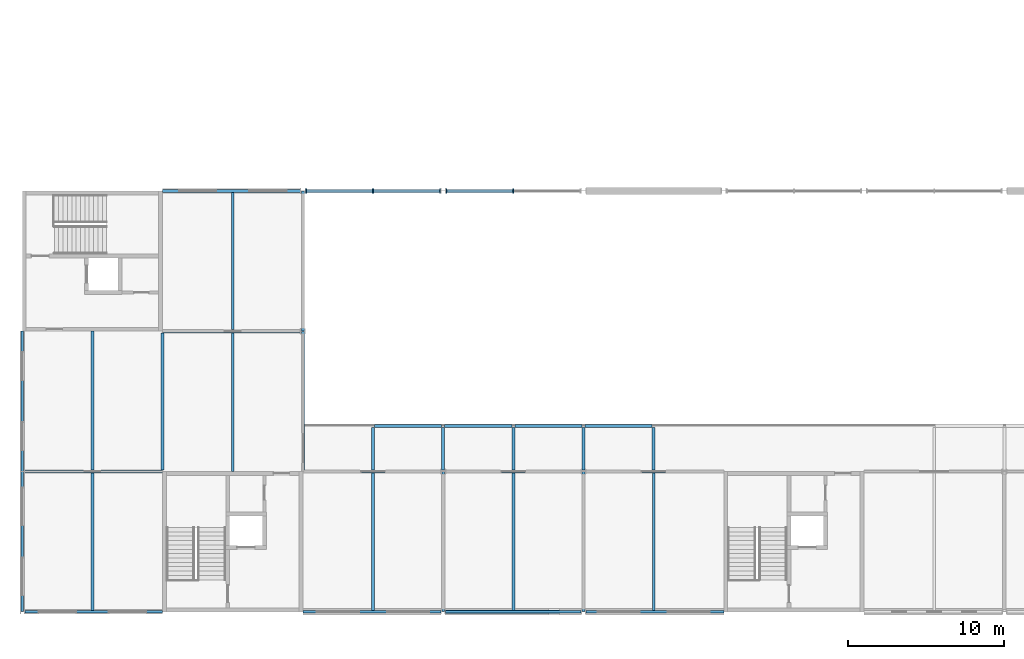
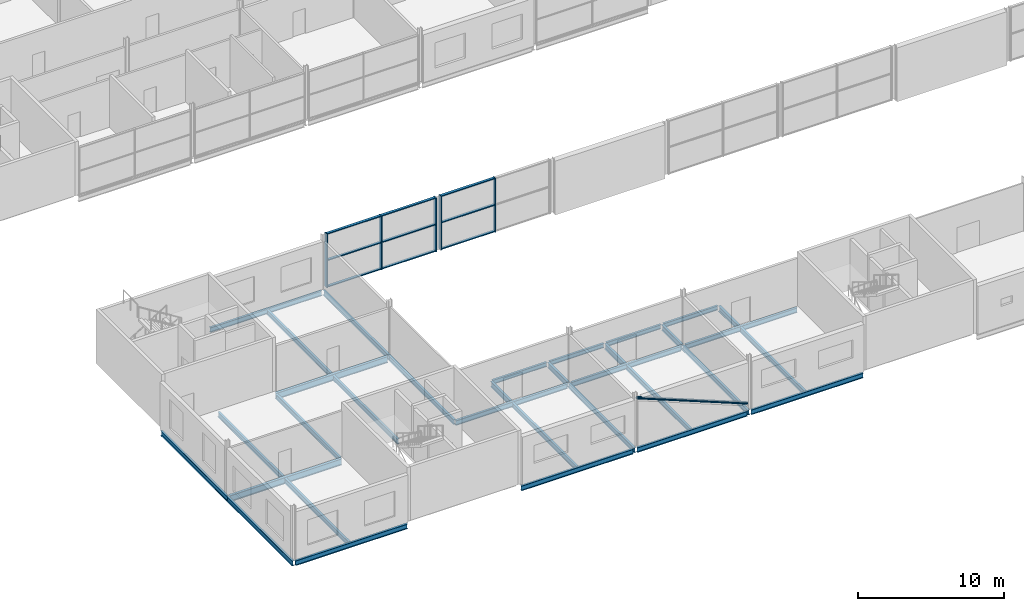
# One storey, part 28 of 97: 33 beams, 15 members, 2 elements without a shape of their own.
"""IFC4 building model written with IfcOpenShell, lengths in metres."""

from ifc_helpers import new_model, si_unit, direction, frame, origin, origin_2d, place, context, subcontext, project, spatial, rectangle, hollow_circle, i_section, extrude, material, layer, layer_set, material_profile, profile_set, type_object, element, aggregate, save


model = new_model("IFC4")

# Units and contexts
model_context = context("Model", 3, precision=1e-05, world=origin(), true_north=direction((0.0, 1.0)))
body_context = subcontext(model_context, "Body", "Model", "MODEL_VIEW")
ifc_project = project(units=[si_unit("LENGTHUNIT", "METRE"), si_unit("AREAUNIT", "SQUARE_METRE"), si_unit("VOLUMEUNIT", "CUBIC_METRE"), si_unit("PLANEANGLEUNIT", "RADIAN"), si_unit("MASSUNIT", "GRAM", prefix="KILO")], contexts=[model_context])

# Site, building, storey
site_placement = place(None, origin())
site = spatial("IfcSite", under=ifc_project, at=site_placement, CompositionType="ELEMENT")
building_placement = place(site_placement, origin())
building = spatial("IfcBuilding", under=site, at=building_placement, Name="Corbel Yard City Hall", CompositionType="ELEMENT")
storey_placement = place(building_placement, frame((0.0, 0.0, 6.0)))
storey = spatial("IfcBuildingStorey", under=building, at=storey_placement, Name="L01", CompositionType="ELEMENT", Elevation=6.0)

# Beams
ifc_material_1 = material(Name="Steel Grade 300 (300 MPa yield)", Category="steel")
ifc_material_profile_1 = material_profile(ifc_material_1, i_section(OverallWidth=0.177978515625, OverallDepth=0.403076171875, WebThickness=0.007568359375, FlangeThickness=0.010986328125, at=origin_2d()), Name="410UB53.7")
ifc_profile_set_1 = profile_set([ifc_material_profile_1], Name="Steel Grade 300 (300 MPa yield)")
beam_type_1 = type_object("IfcBeamType", Name="Beam 410UB53.7", PredefinedType="BEAM", material=ifc_profile_set_1)
beam_1_placement = place(storey_placement, frame((9.0, 9.1044921875, -0.3515625), z_axis=(0.0, 1.0, 0.0), x_axis=(-1.0, 0.0, 0.0)))
element("IfcBeam", 1, at=beam_1_placement, inside=storey, type_object=beam_type_1, Name="Beam 410UB53.7 SB6 L01floor", PredefinedType="BEAM", context=body_context, shape_type="SweptSolid", body=[
    extrude(i_section(OverallWidth=0.177978515625, OverallDepth=0.403076171875, WebThickness=0.007568359375, FlangeThickness=0.010986328125, at=origin_2d()), origin(), (0.0, 0.0, 1.0), 8.791015625),
])
for number, where, z_axis, x_axis, name in (
    (2, (27.0, 0.005859375, -0.3515625), (0.0, 1.0, 0.0), (-1.0, 0.0, 0.0), "Beam 410UB53.7 SB6 L01floor"),
    (3, (36.0, 0.005859375, -0.3515625), (0.0, 1.0, 0.0), (-1.0, 0.0, 0.0), "Beam 410UB53.7 SB6 L01floor"),
):
    element("IfcBeam", number, at=place(storey_placement, frame(where, z_axis=z_axis, x_axis=x_axis)), inside=storey, type_object=beam_type_1, Name=name, PredefinedType="BEAM", context=body_context, shape_type="SweptSolid", body=[
        extrude(i_section(OverallWidth=0.177978515625, OverallDepth=0.403076171875, WebThickness=0.007568359375, FlangeThickness=0.010986328125, at=origin_2d()), origin(), (0.0, 0.0, 1.0), 8.986328125),
    ])

# Member
ifc_material_2 = material(Name="Steel Grade C350L0", Category="steel")
ifc_material_profile_2 = material_profile(ifc_material_2, hollow_circle(Radius=0.109619140625, WallThickness=0.00830078125, at=origin_2d()), Name="219.1x8.2CHS")
ifc_profile_set_2 = profile_set([ifc_material_profile_2], Name="Steel Grade C350L0")
member_type_1 = type_object("IfcMemberType", Name="Braced bay diagonal 219.1x8.2CHS", PredefinedType="BRACE", material=ifc_profile_set_2)
member_1_placement = place(storey_placement, frame((27.1298828125, 0.0, 4.0), z_axis=(0.928333553829, 0.0, -0.371748319209), x_axis=(0.0, 1.0, 0.0)))
element("IfcMember", 4, at=member_1_placement, inside=storey, type_object=member_type_1, Name="Brace 219.1x8.2CHS BR2", PredefinedType="BRACE", context=body_context, shape_type="SweptSolid", body=[
    extrude(hollow_circle(Radius=0.109619140625, WallThickness=0.00830078125, at=origin_2d()), origin(), (0.0, 0.0, 1.0), 9.4150390625),
])

# Beams
ifc_material_profile_3 = material_profile(ifc_material_1, i_section(OverallWidth=0.177978515625, OverallDepth=0.406005859375, WebThickness=0.0078125, FlangeThickness=0.0126953125, at=origin_2d()), Name="410UB59.7")
ifc_profile_set_3 = profile_set([ifc_material_profile_3], Name="Steel Grade 300 (300 MPa yield)")
beam_type_2 = type_object("IfcBeamType", Name="Edge beam 410UB59.7", PredefinedType="BEAM", material=ifc_profile_set_3)
for number, where, z_axis, x_axis, name in (
    (5, (0.157470703125, 0.0, -0.35302734375), (1.0, 0.0, 0.0), (0.0, 1.0, 0.0), "Edge beam 410UB59.7 EB2 L01floor"),
    (6, (18.0, 0.0, -0.35302734375), (1.0, 0.0, 0.0), (0.0, 1.0, 0.0), "Edge beam 410UB59.7 EB2 L01floor"),
):
    element("IfcBeam", number, at=place(storey_placement, frame(where, z_axis=z_axis, x_axis=x_axis)), inside=storey, type_object=beam_type_2, Name=name, PredefinedType="BEAM", context=body_context, shape_type="SweptSolid", body=[
        extrude(i_section(OverallWidth=0.177978515625, OverallDepth=0.406005859375, WebThickness=0.0078125, FlangeThickness=0.0126953125, at=origin_2d()), origin(), (0.0, 0.0, 1.0), 8.842529296875),
    ])
beam_2_placement = place(storey_placement, frame((27.157470703125, 0.0, -0.35302734375), z_axis=(1.0, 0.0, 0.0), x_axis=(0.0, 1.0, 0.0)))
element("IfcBeam", 7, at=beam_2_placement, inside=storey, type_object=beam_type_2, Name="Edge beam 410UB59.7 EB2 L01floor", PredefinedType="BEAM", context=body_context, shape_type="SweptSolid", body=[
    extrude(i_section(OverallWidth=0.177978515625, OverallDepth=0.406005859375, WebThickness=0.0078125, FlangeThickness=0.0126953125, at=origin_2d()), origin(), (0.0, 0.0, 1.0), 8.68505859375),
])
beam_3_placement = place(storey_placement, frame((36.157470703125, 0.0, -0.35302734375), z_axis=(1.0, 0.0, 0.0), x_axis=(0.0, 1.0, 0.0)))
element("IfcBeam", 8, at=beam_3_placement, inside=storey, type_object=beam_type_2, Name="Edge beam 410UB59.7 EB2 L01floor", PredefinedType="BEAM", context=body_context, shape_type="SweptSolid", body=[
    extrude(i_section(OverallWidth=0.177978515625, OverallDepth=0.406005859375, WebThickness=0.0078125, FlangeThickness=0.0126953125, at=origin_2d()), origin(), (0.0, 0.0, 1.0), 8.842529296875),
])
beam_4_placement = place(storey_placement, frame((18.0, 9.0, -0.35302734375), z_axis=(1.0, 0.0, 0.0), x_axis=(0.0, 1.0, 0.0)))
element("IfcBeam", 9, at=beam_4_placement, inside=storey, type_object=beam_type_2, Name="Edge beam 410UB59.7 EB2 L01floor", PredefinedType="BEAM", context=body_context, shape_type="SweptSolid", body=[
    extrude(i_section(OverallWidth=0.177978515625, OverallDepth=0.406005859375, WebThickness=0.0078125, FlangeThickness=0.0126953125, at=origin_2d()), origin(), (0.0, 0.0, 1.0), 8.83642578125),
])
beam_5_placement = place(storey_placement, frame((27.16357421875, 9.0, -0.35302734375), z_axis=(1.0, 0.0, 0.0), x_axis=(0.0, 1.0, 0.0)))
element("IfcBeam", 10, at=beam_5_placement, inside=storey, type_object=beam_type_2, Name="Edge beam 410UB59.7 EB2 L01floor", PredefinedType="BEAM", context=body_context, shape_type="SweptSolid", body=[
    extrude(i_section(OverallWidth=0.177978515625, OverallDepth=0.406005859375, WebThickness=0.0078125, FlangeThickness=0.0126953125, at=origin_2d()), origin(), (0.0, 0.0, 1.0), 8.6728515625),
])
for number, where, z_axis, x_axis, name in (
    (11, (36.16357421875, 9.0, -0.35302734375), (1.0, 0.0, 0.0), (0.0, 1.0, 0.0), "Edge beam 410UB59.7 EB2 L01floor"),
    (12, (9.0, 27.0, -0.35302734375), (1.0, 0.0, 0.0), (0.0, 1.0, 0.0), "Edge beam 410UB59.7 EB2 L01floor"),
):
    element("IfcBeam", number, at=place(storey_placement, frame(where, z_axis=z_axis, x_axis=x_axis)), inside=storey, type_object=beam_type_2, Name=name, PredefinedType="BEAM", context=body_context, shape_type="SweptSolid", body=[
        extrude(i_section(OverallWidth=0.177978515625, OverallDepth=0.406005859375, WebThickness=0.0078125, FlangeThickness=0.0126953125, at=origin_2d()), origin(), (0.0, 0.0, 1.0), 8.83642578125),
    ])
beam_6_placement = place(storey_placement, frame((0.0, 0.005859375, -0.35302734375), z_axis=(0.0, 1.0, 0.0), x_axis=(-1.0, 0.0, 0.0)))
element("IfcBeam", 13, at=beam_6_placement, inside=storey, type_object=beam_type_2, Name="Edge beam 410UB59.7 EB2 L01floor", PredefinedType="BEAM", context=body_context, shape_type="SweptSolid", body=[
    extrude(i_section(OverallWidth=0.177978515625, OverallDepth=0.406005859375, WebThickness=0.0078125, FlangeThickness=0.0126953125, at=origin_2d()), origin(), (0.0, 0.0, 1.0), 8.98828125),
])
beam_7_placement = place(storey_placement, frame((0.0, 9.005859375, -0.35302734375), z_axis=(0.0, 1.0, 0.0), x_axis=(-1.0, 0.0, 0.0)))
element("IfcBeam", 14, at=beam_7_placement, inside=storey, type_object=beam_type_2, Name="Edge beam 410UB59.7 EB2 L01floor", PredefinedType="BEAM", context=body_context, shape_type="SweptSolid", body=[
    extrude(i_section(OverallWidth=0.177978515625, OverallDepth=0.406005859375, WebThickness=0.0078125, FlangeThickness=0.0126953125, at=origin_2d()), origin(), (0.0, 0.0, 1.0), 8.994140625),
])
beam_8_placement = place(storey_placement, frame((18.0, 9.089111328125, -0.35302734375), z_axis=(0.0, 1.0, 0.0), x_axis=(-1.0, 0.0, 0.0)))
element("IfcBeam", 15, at=beam_8_placement, inside=storey, type_object=beam_type_2, Name="Edge beam 410UB59.7 EB2 L01floor", PredefinedType="BEAM", context=body_context, shape_type="SweptSolid", body=[
    extrude(i_section(OverallWidth=0.177978515625, OverallDepth=0.406005859375, WebThickness=0.0078125, FlangeThickness=0.0126953125, at=origin_2d()), origin(), (0.0, 0.0, 1.0), 8.903076171875),
])
beam_9_placement = place(storey_placement, frame((18.0, 18.0078125, -0.35302734375), z_axis=(0.0, 1.0, 0.0), x_axis=(-1.0, 0.0, 0.0)))
element("IfcBeam", 16, at=beam_9_placement, inside=storey, type_object=beam_type_2, Name="Edge beam 410UB59.7 EB2 L01floor", PredefinedType="BEAM", context=body_context, shape_type="SweptSolid", body=[
    extrude(i_section(OverallWidth=0.177978515625, OverallDepth=0.406005859375, WebThickness=0.0078125, FlangeThickness=0.0126953125, at=origin_2d()), origin(), (0.0, 0.0, 1.0), 8.984375),
])
ifc_material_profile_4 = material_profile(ifc_material_1, i_section(OverallWidth=0.18994140625, OverallDepth=0.4541015625, WebThickness=0.008544921875, FlangeThickness=0.0126953125, at=origin_2d()), Name="460UB67.1")
ifc_profile_set_4 = profile_set([ifc_material_profile_4], Name="Steel Grade 300 (300 MPa yield)")
beam_type_3 = type_object("IfcBeamType", Name="Gallery bracket 460UB67.1", PredefinedType="BEAM", material=ifc_profile_set_4)
for number, where, z_axis, x_axis, name in (
    (17, (22.5, 9.089111328125, -0.376953125), (0.0, 1.0, 0.0), (-1.0, 0.0, 0.0), "Gallery bracket 460UB67.1 CB2 L01"),
    (18, (27.0, 9.089111328125, -0.376953125), (0.0, 1.0, 0.0), (-1.0, 0.0, 0.0), "Gallery bracket 460UB67.1 CB2 L01"),
    (19, (31.5, 9.089111328125, -0.376953125), (0.0, 1.0, 0.0), (-1.0, 0.0, 0.0), "Gallery bracket 460UB67.1 CB2 L01"),
    (20, (36.0, 9.089111328125, -0.376953125), (0.0, 1.0, 0.0), (-1.0, 0.0, 0.0), "Gallery bracket 460UB67.1 CB2 L01"),
    (21, (40.5, 9.089111328125, -0.376953125), (0.0, 1.0, 0.0), (-1.0, 0.0, 0.0), "Gallery bracket 460UB67.1 CB2 L01"),
):
    element("IfcBeam", number, at=place(storey_placement, frame(where, z_axis=z_axis, x_axis=x_axis)), inside=storey, type_object=beam_type_3, Name=name, PredefinedType="BEAM", context=body_context, shape_type="SweptSolid", body=[
        extrude(i_section(OverallWidth=0.18994140625, OverallDepth=0.4541015625, WebThickness=0.008544921875, FlangeThickness=0.0126953125, at=origin_2d()), origin(), (0.0, 0.0, 1.0), 2.739990234375),
    ])
ifc_material_profile_5 = material_profile(ifc_material_1, i_section(OverallWidth=0.1708984375, OverallDepth=0.35205078125, WebThickness=0.0068359375, FlangeThickness=0.009765625, at=origin_2d()), Name="360UB44.7")
ifc_profile_set_5 = profile_set([ifc_material_profile_5], Name="Steel Grade 300 (300 MPa yield)")
beam_type_4 = type_object("IfcBeamType", Name="Gallery edge beam 360UB44.7", PredefinedType="BEAM", material=ifc_profile_set_5)
for number, where, z_axis, x_axis, name in (
    (22, (22.594970703125, 11.91455078125, -0.325927734375), (1.0, 0.0, 0.0), (0.0, 1.0, 0.0), "Gallery edge beam 360UB44.7 EB13 L01"),
    (23, (27.094970703125, 11.91455078125, -0.325927734375), (1.0, 0.0, 0.0), (0.0, 1.0, 0.0), "Gallery edge beam 360UB44.7 EB13 L01"),
    (24, (31.594970703125, 11.91455078125, -0.325927734375), (1.0, 0.0, 0.0), (0.0, 1.0, 0.0), "Gallery edge beam 360UB44.7 EB13 L01"),
    (25, (36.094970703125, 11.91455078125, -0.325927734375), (1.0, 0.0, 0.0), (0.0, 1.0, 0.0), "Gallery edge beam 360UB44.7 EB13 L01"),
):
    element("IfcBeam", number, at=place(storey_placement, frame(where, z_axis=z_axis, x_axis=x_axis)), inside=storey, type_object=beam_type_4, Name=name, PredefinedType="BEAM", context=body_context, shape_type="SweptSolid", body=[
        extrude(i_section(OverallWidth=0.1708984375, OverallDepth=0.35205078125, WebThickness=0.0068359375, FlangeThickness=0.009765625, at=origin_2d()), origin(), (0.0, 0.0, 1.0), 4.31005859375),
    ])
ifc_material_profile_6 = material_profile(ifc_material_1, i_section(OverallWidth=0.208984375, OverallDepth=0.528076171875, WebThickness=0.009521484375, FlangeThickness=0.01318359375, at=origin_2d()), Name="530UB82.0")
ifc_profile_set_6 = profile_set([ifc_material_profile_6], Name="Steel Grade 300 (300 MPa yield)")
beam_type_5 = type_object("IfcBeamType", Name="Girder 530UB82.0", PredefinedType="BEAM", material=ifc_profile_set_6)
beam_10_placement = place(storey_placement, frame((0.157470703125, 9.0, -0.4140625), z_axis=(1.0, 0.0, 0.0), x_axis=(0.0, 1.0, 0.0)))
element("IfcBeam", 26, at=beam_10_placement, inside=storey, type_object=beam_type_5, Name="Girder 530UB82.0 GB3 L01floor", PredefinedType="BEAM", context=body_context, shape_type="SweptSolid", body=[
    extrude(i_section(OverallWidth=0.208984375, OverallDepth=0.528076171875, WebThickness=0.009521484375, FlangeThickness=0.01318359375, at=origin_2d()), origin(), (0.0, 0.0, 1.0), 8.842529296875),
])
beam_11_placement = place(storey_placement, frame((9.0, 18.0, -0.4140625), z_axis=(1.0, 0.0, 0.0), x_axis=(0.0, 1.0, 0.0)))
element("IfcBeam", 27, at=beam_11_placement, inside=storey, type_object=beam_type_5, Name="Girder 530UB82.0 GB3 L01floor", PredefinedType="BEAM", context=body_context, shape_type="SweptSolid", body=[
    extrude(i_section(OverallWidth=0.208984375, OverallDepth=0.528076171875, WebThickness=0.009521484375, FlangeThickness=0.01318359375, at=origin_2d()), origin(), (0.0, 0.0, 1.0), 8.83642578125),
])

# Curtain wall, members
ifc_material_3 = material(Name="Aluminium extrusion", Category="aluminium")
ifc_layer = layer(ifc_material_3, 0.300048828125)
ifc_layer_set = layer_set([ifc_layer], Name="Aluminium extrusion")
curtain_wall_type = type_object("IfcCurtainWallType", Name="CW7", PredefinedType="USERDEFINED", material=ifc_layer_set)
curtain_wall_1_placement = place(storey_placement, origin())
curtain_wall_1 = element("IfcCurtainWall", 28, at=curtain_wall_1_placement, inside=storey, type_object=curtain_wall_type, Name="Curtain wall CW7 L01", ObjectType="CURTAIN WALL", PredefinedType="USERDEFINED")
ifc_material_profile_7 = material_profile(ifc_material_3, rectangle(XDim=0.300048828125, YDim=0.080078125, at=origin_2d()), Name="300x80")
ifc_profile_set_7 = profile_set([ifc_material_profile_7], Name="Aluminium extrusion")
member_type_2 = type_object("IfcMemberType", Name="ML7", PredefinedType="MULLION", material=ifc_profile_set_7)
member_2_placement = place(storey_placement, frame((18.197509765625, 27.0, 0.0), z_axis=(0.0, 0.0, 1.0), x_axis=(0.0, 1.0, 0.0)))
member_2 = element("IfcMember", 29, at=member_2_placement, type_object=member_type_2, Name="CW7 mullion 1", PredefinedType="MULLION", context=body_context, shape_type="SweptSolid", body=[
    extrude(rectangle(XDim=0.300048828125, YDim=0.080078125, at=origin_2d()), origin(), (0.0, 0.0, 1.0), 4.5),
])
member_3_placement = place(storey_placement, frame((22.5, 27.0, 0.0), z_axis=(0.0, 0.0, 1.0), x_axis=(0.0, 1.0, 0.0)))
member_3 = element("IfcMember", 30, at=member_3_placement, type_object=member_type_2, Name="CW7 mullion 2", PredefinedType="MULLION", context=body_context, shape_type="SweptSolid", body=[
    extrude(rectangle(XDim=0.300048828125, YDim=0.080078125, at=origin_2d()), origin(), (0.0, 0.0, 1.0), 4.5),
])
member_4_placement = place(storey_placement, frame((26.802490234375, 27.0, 0.0), z_axis=(0.0, 0.0, 1.0), x_axis=(0.0, 1.0, 0.0)))
member_4 = element("IfcMember", 31, at=member_4_placement, type_object=member_type_2, Name="CW7 mullion 3", PredefinedType="MULLION", context=body_context, shape_type="SweptSolid", body=[
    extrude(rectangle(XDim=0.300048828125, YDim=0.080078125, at=origin_2d()), origin(), (0.0, 0.0, 1.0), 4.5),
])

curtain_wall_2_placement = place(storey_placement, origin())
curtain_wall_2 = element("IfcCurtainWall", 32, at=curtain_wall_2_placement, inside=storey, type_object=curtain_wall_type, Name="Curtain wall CW7 L01", ObjectType="CURTAIN WALL", PredefinedType="USERDEFINED")
member_5_placement = place(storey_placement, frame((27.197509765625, 27.0, 0.0), z_axis=(0.0, 0.0, 1.0), x_axis=(0.0, 1.0, 0.0)))
member_5 = element("IfcMember", 33, at=member_5_placement, type_object=member_type_2, Name="CW7 mullion 1", PredefinedType="MULLION", context=body_context, shape_type="SweptSolid", body=[
    extrude(rectangle(XDim=0.300048828125, YDim=0.080078125, at=origin_2d()), origin(), (0.0, 0.0, 1.0), 4.5),
])
member_6_placement = place(storey_placement, frame((31.5, 27.0, 0.0), z_axis=(0.0, 0.0, 1.0), x_axis=(0.0, 1.0, 0.0)))
member_6 = element("IfcMember", 34, at=member_6_placement, type_object=member_type_2, Name="CW7 mullion 2", PredefinedType="MULLION", context=body_context, shape_type="SweptSolid", body=[
    extrude(rectangle(XDim=0.300048828125, YDim=0.080078125, at=origin_2d()), origin(), (0.0, 0.0, 1.0), 4.5),
])

# Beams
ifc_material_profile_8 = material_profile(ifc_material_1, i_section(OverallWidth=0.177978515625, OverallDepth=0.403076171875, WebThickness=0.007568359375, FlangeThickness=0.010986328125, at=origin_2d()), Name="410UB53.7")
ifc_profile_set_8 = profile_set([ifc_material_profile_8], Name="Steel Grade 300 (300 MPa yield)")
beam_type_6 = type_object("IfcBeamType", Name="Secondary beam 410UB53.7", PredefinedType="JOIST", material=ifc_profile_set_8)
beam_12_placement = place(storey_placement, frame((4.5, 0.089111328125, -0.3515625), z_axis=(0.0, 1.0, 0.0), x_axis=(-1.0, 0.0, 0.0)))
element("IfcBeam", 35, at=beam_12_placement, inside=storey, type_object=beam_type_6, Name="Secondary beam 410UB53.7 SB5 L01floor", PredefinedType="JOIST", context=body_context, shape_type="SweptSolid", body=[
    extrude(i_section(OverallWidth=0.177978515625, OverallDepth=0.403076171875, WebThickness=0.007568359375, FlangeThickness=0.010986328125, at=origin_2d()), origin(), (0.0, 0.0, 1.0), 8.806396484375),
])
for number, where, z_axis, x_axis, name in (
    (36, (4.5, 9.1044921875, -0.3515625), (0.0, 1.0, 0.0), (-1.0, 0.0, 0.0), "Secondary beam 410UB53.7 SB5 L01floor"),
    (37, (13.5, 9.0, -0.3515625), (0.0, 1.0, 0.0), (-1.0, 0.0, 0.0), "Secondary beam 410UB53.7 SB5 L01floor"),
):
    element("IfcBeam", number, at=place(storey_placement, frame(where, z_axis=z_axis, x_axis=x_axis)), inside=storey, type_object=beam_type_6, Name=name, PredefinedType="JOIST", context=body_context, shape_type="SweptSolid", body=[
        extrude(i_section(OverallWidth=0.177978515625, OverallDepth=0.403076171875, WebThickness=0.007568359375, FlangeThickness=0.010986328125, at=origin_2d()), origin(), (0.0, 0.0, 1.0), 8.8955078125),
    ])
beam_13_placement = place(storey_placement, frame((13.5, 18.1044921875, -0.3515625), z_axis=(0.0, 1.0, 0.0), x_axis=(-1.0, 0.0, 0.0)))
element("IfcBeam", 38, at=beam_13_placement, inside=storey, type_object=beam_type_6, Name="Secondary beam 410UB53.7 SB5 L01floor", PredefinedType="JOIST", context=body_context, shape_type="SweptSolid", body=[
    extrude(i_section(OverallWidth=0.177978515625, OverallDepth=0.403076171875, WebThickness=0.007568359375, FlangeThickness=0.010986328125, at=origin_2d()), origin(), (0.0, 0.0, 1.0), 8.806396484375),
])
for number, where, z_axis, x_axis, name in (
    (39, (22.5, 0.089111328125, -0.3515625), (0.0, 1.0, 0.0), (-1.0, 0.0, 0.0), "Secondary beam 410UB53.7 SB5 L01floor"),
    (40, (31.5, 0.089111328125, -0.3515625), (0.0, 1.0, 0.0), (-1.0, 0.0, 0.0), "Secondary beam 410UB53.7 SB5 L01floor"),
    (41, (40.5, 0.089111328125, -0.3515625), (0.0, 1.0, 0.0), (-1.0, 0.0, 0.0), "Secondary beam 410UB53.7 SB5 L01floor"),
):
    element("IfcBeam", number, at=place(storey_placement, frame(where, z_axis=z_axis, x_axis=x_axis)), inside=storey, type_object=beam_type_6, Name=name, PredefinedType="JOIST", context=body_context, shape_type="SweptSolid", body=[
        extrude(i_section(OverallWidth=0.177978515625, OverallDepth=0.403076171875, WebThickness=0.007568359375, FlangeThickness=0.010986328125, at=origin_2d()), origin(), (0.0, 0.0, 1.0), 8.82177734375),
    ])

# Member
ifc_material_profile_9 = material_profile(ifc_material_3, rectangle(XDim=0.199951171875, YDim=0.080078125, at=origin_2d()), Name="200x80")
ifc_profile_set_9 = profile_set([ifc_material_profile_9], Name="Aluminium extrusion")
member_type_3 = type_object("IfcMemberType", Name="TR7", PredefinedType="USERDEFINED", material=ifc_profile_set_9)
member_7_placement = place(storey_placement, frame((18.237548828125, 27.0, 0.0400390625), z_axis=(1.0, 0.0, 0.0), x_axis=(0.0, 1.0, 0.0)))
member_7 = element("IfcMember", 42, at=member_7_placement, type_object=member_type_3, Name="CW7 transom 1.1", ObjectType="TRANSOM", PredefinedType="USERDEFINED", context=body_context, shape_type="SweptSolid", body=[
    extrude(rectangle(XDim=0.199951171875, YDim=0.080078125, at=origin_2d()), origin(), (0.0, 0.0, 1.0), 4.222412109375),
])

member_8_placement = place(storey_placement, frame((18.237548828125, 27.0, 2.25), z_axis=(1.0, 0.0, 0.0), x_axis=(0.0, 1.0, 0.0)))
member_8 = element("IfcMember", 43, at=member_8_placement, type_object=member_type_3, Name="CW7 transom 1.2", ObjectType="TRANSOM", PredefinedType="USERDEFINED", context=body_context, shape_type="SweptSolid", body=[
    extrude(rectangle(XDim=0.199951171875, YDim=0.080078125, at=origin_2d()), origin(), (0.0, 0.0, 1.0), 4.222412109375),
])

member_9_placement = place(storey_placement, frame((18.237548828125, 27.0, 4.4599609375), z_axis=(1.0, 0.0, 0.0), x_axis=(0.0, 1.0, 0.0)))
member_9 = element("IfcMember", 44, at=member_9_placement, type_object=member_type_3, Name="CW7 transom 1.3", ObjectType="TRANSOM", PredefinedType="USERDEFINED", context=body_context, shape_type="SweptSolid", body=[
    extrude(rectangle(XDim=0.199951171875, YDim=0.080078125, at=origin_2d()), origin(), (0.0, 0.0, 1.0), 4.222412109375),
])

member_10_placement = place(storey_placement, frame((22.5400390625, 27.0, 0.0400390625), z_axis=(1.0, 0.0, 0.0), x_axis=(0.0, 1.0, 0.0)))
member_10 = element("IfcMember", 45, at=member_10_placement, type_object=member_type_3, Name="CW7 transom 2.1", ObjectType="TRANSOM", PredefinedType="USERDEFINED", context=body_context, shape_type="SweptSolid", body=[
    extrude(rectangle(XDim=0.199951171875, YDim=0.080078125, at=origin_2d()), origin(), (0.0, 0.0, 1.0), 4.222412109375),
])

member_11_placement = place(storey_placement, frame((22.5400390625, 27.0, 2.25), z_axis=(1.0, 0.0, 0.0), x_axis=(0.0, 1.0, 0.0)))
member_11 = element("IfcMember", 46, at=member_11_placement, type_object=member_type_3, Name="CW7 transom 2.2", ObjectType="TRANSOM", PredefinedType="USERDEFINED", context=body_context, shape_type="SweptSolid", body=[
    extrude(rectangle(XDim=0.199951171875, YDim=0.080078125, at=origin_2d()), origin(), (0.0, 0.0, 1.0), 4.222412109375),
])

member_12_placement = place(storey_placement, frame((22.5400390625, 27.0, 4.4599609375), z_axis=(1.0, 0.0, 0.0), x_axis=(0.0, 1.0, 0.0)))
member_12 = element("IfcMember", 47, at=member_12_placement, type_object=member_type_3, Name="CW7 transom 2.3", ObjectType="TRANSOM", PredefinedType="USERDEFINED", context=body_context, shape_type="SweptSolid", body=[
    extrude(rectangle(XDim=0.199951171875, YDim=0.080078125, at=origin_2d()), origin(), (0.0, 0.0, 1.0), 4.222412109375),
])

aggregate(curtain_wall_1, [member_2, member_3, member_4, member_7, member_8, member_9, member_10, member_11, member_12])

member_13_placement = place(storey_placement, frame((27.237548828125, 27.0, 0.0400390625), z_axis=(1.0, 0.0, 0.0), x_axis=(0.0, 1.0, 0.0)))
member_13 = element("IfcMember", 48, at=member_13_placement, type_object=member_type_3, Name="CW7 transom 1.1", ObjectType="TRANSOM", PredefinedType="USERDEFINED", context=body_context, shape_type="SweptSolid", body=[
    extrude(rectangle(XDim=0.199951171875, YDim=0.080078125, at=origin_2d()), origin(), (0.0, 0.0, 1.0), 4.222412109375),
])

member_14_placement = place(storey_placement, frame((27.237548828125, 27.0, 2.25), z_axis=(1.0, 0.0, 0.0), x_axis=(0.0, 1.0, 0.0)))
member_14 = element("IfcMember", 49, at=member_14_placement, type_object=member_type_3, Name="CW7 transom 1.2", ObjectType="TRANSOM", PredefinedType="USERDEFINED", context=body_context, shape_type="SweptSolid", body=[
    extrude(rectangle(XDim=0.199951171875, YDim=0.080078125, at=origin_2d()), origin(), (0.0, 0.0, 1.0), 4.222412109375),
])

member_15_placement = place(storey_placement, frame((27.237548828125, 27.0, 4.4599609375), z_axis=(1.0, 0.0, 0.0), x_axis=(0.0, 1.0, 0.0)))
member_15 = element("IfcMember", 50, at=member_15_placement, type_object=member_type_3, Name="CW7 transom 1.3", ObjectType="TRANSOM", PredefinedType="USERDEFINED", context=body_context, shape_type="SweptSolid", body=[
    extrude(rectangle(XDim=0.199951171875, YDim=0.080078125, at=origin_2d()), origin(), (0.0, 0.0, 1.0), 4.222412109375),
])

aggregate(curtain_wall_2, [member_5, member_6, member_13, member_14, member_15])

save(model, "model.ifc")
